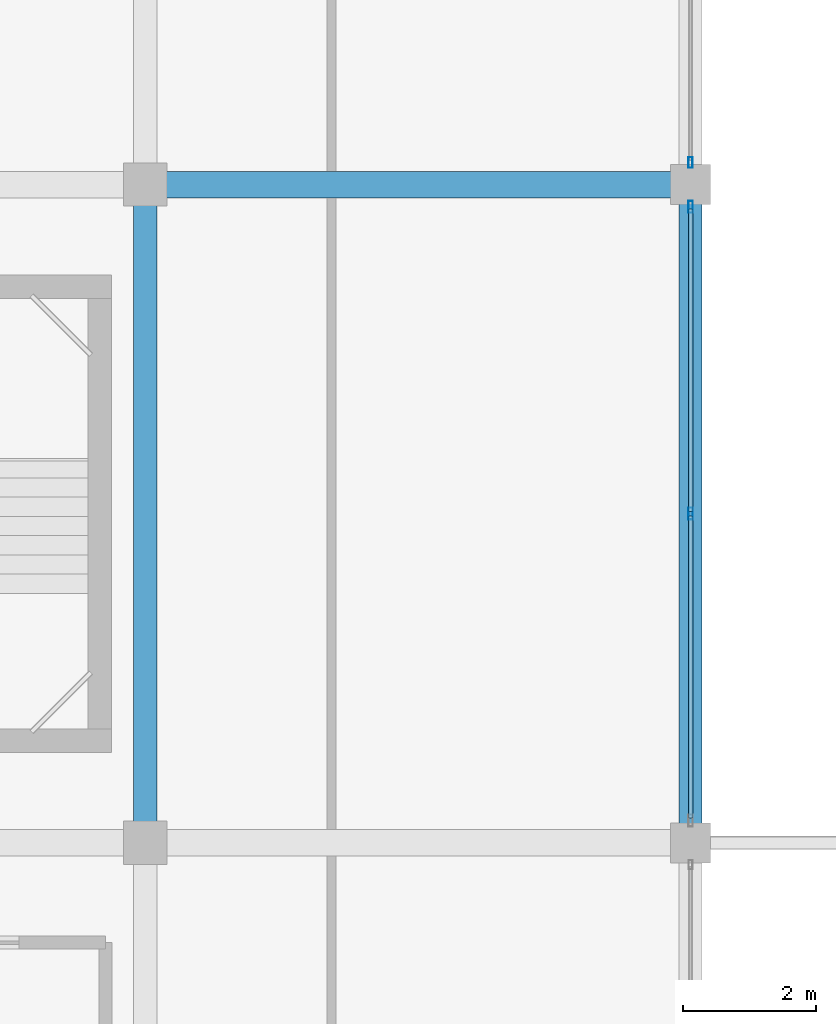
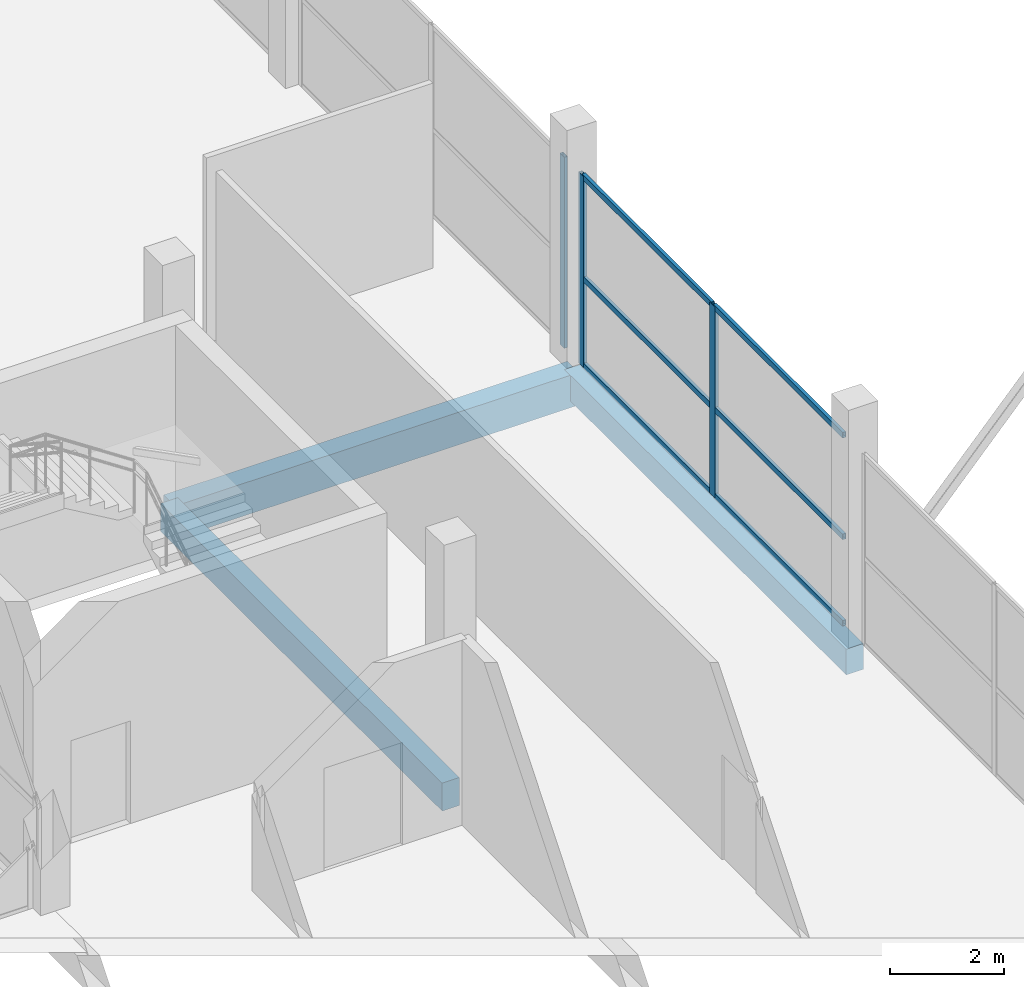
# One storey, part 29 of 58: 9 members, 3 beams, 2 elements without a shape of their own.
"""IFC4 building model written with IfcOpenShell, lengths in metres."""

from ifc_helpers import new_model, si_unit, direction, frame, origin, origin_2d, place, context, subcontext, project, spatial, rectangle, hollow_rectangle, extrude, material, layer, layer_set, material_profile, profile_set, type_object, element, aggregate, save


model = new_model("IFC4")

# Units and contexts
model_context = context("Model", 3, precision=1e-05, world=origin(), true_north=direction((0.0, 1.0)))
body_context = subcontext(model_context, "Body", "Model", "MODEL_VIEW")
ifc_project = project(units=[si_unit("LENGTHUNIT", "METRE"), si_unit("AREAUNIT", "SQUARE_METRE"), si_unit("VOLUMEUNIT", "CUBIC_METRE"), si_unit("PLANEANGLEUNIT", "RADIAN"), si_unit("MASSUNIT", "GRAM", prefix="KILO")], contexts=[model_context])

# Site, building, storey
site_placement = place(None, origin())
site = spatial("IfcSite", under=ifc_project, at=site_placement, CompositionType="ELEMENT")
building_placement = place(site_placement, origin())
building = spatial("IfcBuilding", under=site, at=building_placement, Name="Sillaruma Civic Art Gallery", CompositionType="ELEMENT")
storey_placement = place(building_placement, frame((0.0, 0.0, 52.02001953125)))
storey = spatial("IfcBuildingStorey", under=building, at=storey_placement, Name="L10", CompositionType="ELEMENT", Elevation=52.02001953125)

# Beams
ifc_material_1 = material(Name="Concrete H35 (35 MPa)", Category="concrete")
ifc_material_profile_1 = material_profile(ifc_material_1, rectangle(XDim=0.35009765625, YDim=0.60009765625, at=origin_2d()), Name="RCB350x600")
ifc_profile_set_1 = profile_set([ifc_material_profile_1], Name="Concrete H35 (35 MPa)")
beam_type_1 = type_object("IfcBeamType", Name="BM-BEAM-RCB350x600", PredefinedType="BEAM", material=ifc_profile_set_1)
beam_1_placement = place(storey_placement, frame((106.199951171875, 49.5, -0.550048828125), z_axis=(0.0, 1.0, 0.0), x_axis=(-1.0, 0.0, 0.0)))
element("IfcBeam", 1, at=beam_1_placement, inside=storey, type_object=beam_type_1, Name="Beam BM-06 (L09:M:6-7)", PredefinedType="BEAM", context=body_context, shape_type="SweptSolid", body=[
    extrude(rectangle(XDim=0.35009765625, YDim=0.60009765625, at=origin_2d()), origin(), (0.0, 0.0, 1.0), 9.89990234375),
])
ifc_material_profile_2 = material_profile(ifc_material_1, rectangle(XDim=0.39990234375, YDim=0.699951171875, at=origin_2d()), Name="RCB400x700")
ifc_profile_set_2 = profile_set([ifc_material_profile_2], Name="Concrete H35 (35 MPa)")
beam_type_2 = type_object("IfcBeamType", Name="BM-BEAM-RCB400x700", PredefinedType="BEAM", material=ifc_profile_set_2)
beam_2_placement = place(storey_placement, frame((106.199951171875, 59.39990234375, -0.60009765625), z_axis=(1.0, 0.0, 0.0), x_axis=(0.0, 1.0, 0.0)))
element("IfcBeam", 2, at=beam_2_placement, inside=storey, type_object=beam_type_2, Name="Beam BM-04 (L09:7:M-N)", PredefinedType="BEAM", context=body_context, shape_type="SweptSolid", body=[
    extrude(rectangle(XDim=0.39990234375, YDim=0.699951171875, at=origin_2d()), origin(), (0.0, 0.0, 1.0), 8.199951171875),
])
ifc_material_profile_3 = material_profile(ifc_material_1, rectangle(XDim=0.35009765625, YDim=0.550048828125, at=origin_2d()), Name="RCB350x550")
ifc_profile_set_3 = profile_set([ifc_material_profile_3], Name="Concrete H35 (35 MPa)")
beam_type_3 = type_object("IfcBeamType", Name="BM-SPANDREL-RCB350x550", PredefinedType="SPANDREL", material=ifc_profile_set_3)
beam_3_placement = place(storey_placement, frame((114.39990234375, 49.5, -0.52490234375), z_axis=(0.0, 1.0, 0.0), x_axis=(-1.0, 0.0, 0.0)))
element("IfcBeam", 3, at=beam_3_placement, inside=storey, type_object=beam_type_3, Name="Beam BS-04 (L09:N:6-7)", PredefinedType="SPANDREL", context=body_context, shape_type="SweptSolid", body=[
    extrude(rectangle(XDim=0.35009765625, YDim=0.550048828125, at=origin_2d()), origin(), (0.0, 0.0, 1.0), 9.89990234375),
])

# Curtain wall, member
ifc_material_2 = material(Name="Thermally Broken Extruded Aluminium 6063-T6", Category="aluminium")
ifc_layer_1 = layer(ifc_material_2, 0.159912109375, Name="Thermally Broken Extruded Aluminium 6063-T6")
ifc_layer_set_1 = layer_set([ifc_layer_1], Name="Thermally Broken Extruded Aluminium 6063-T6")
curtain_wall_type_1 = type_object("IfcCurtainWallType", Name="CW-UNI-81", PredefinedType="NOTDEFINED", material=ifc_layer_set_1)
curtain_wall_1_placement = place(storey_placement, origin())
curtain_wall_1 = element("IfcCurtainWall", 4, at=curtain_wall_1_placement, inside=storey, type_object=curtain_wall_type_1, Name="Unitised Curtain Wall CW-81 (CW-L10-EBE-5)", PredefinedType="NOTDEFINED")
ifc_material_profile_4 = material_profile(ifc_material_2, hollow_rectangle(XDim=0.06494140625, YDim=0.159912109375, WallThickness=0.00390625, at=origin_2d()), Name="CWM65x160")
ifc_profile_set_4 = profile_set([ifc_material_profile_4], Name="Thermally Broken Extruded Aluminium 6063-T6")
member_type_1 = type_object("IfcMemberType", Name="MEM-MUL-CWM65x160", PredefinedType="MULLION", material=ifc_profile_set_4)
member_1_placement = place(storey_placement, frame((114.39990234375, 59.732421875, 0.0), z_axis=(0.0, 0.0, 1.0), x_axis=(-1.0, 0.0, 0.0)))
member_1 = element("IfcMember", 5, at=member_1_placement, type_object=member_type_1, Name="CW-81 mullion 1", PredefinedType="MULLION", context=body_context, shape_type="SweptSolid", body=[
    extrude(hollow_rectangle(XDim=0.06494140625, YDim=0.159912109375, WallThickness=0.00390625, at=origin_2d()), origin(), (0.0, 0.0, 1.0), 4.10009765625),
])
aggregate(curtain_wall_1, [member_1])

# Curtain wall, members
ifc_layer_2 = layer(ifc_material_2, 0.179931640625, Name="Thermally Broken Extruded Aluminium 6063-T6")
ifc_layer_set_2 = layer_set([ifc_layer_2], Name="Thermally Broken Extruded Aluminium 6063-T6")
curtain_wall_type_2 = type_object("IfcCurtainWallType", Name="CW-UNI-79", PredefinedType="NOTDEFINED", material=ifc_layer_set_2)
curtain_wall_2_placement = place(storey_placement, origin())
curtain_wall_2 = element("IfcCurtainWall", 6, at=curtain_wall_2_placement, inside=storey, type_object=curtain_wall_type_2, Name="Unitised Curtain Wall CW-79 (CW-L10-EBE-4)", PredefinedType="NOTDEFINED")
ifc_material_profile_5 = material_profile(ifc_material_2, hollow_rectangle(XDim=0.070068359375, YDim=0.179931640625, WallThickness=0.00390625, at=origin_2d()), Name="CWM70x180")
ifc_profile_set_5 = profile_set([ifc_material_profile_5], Name="Thermally Broken Extruded Aluminium 6063-T6")
member_type_2 = type_object("IfcMemberType", Name="MEM-MUL-CWM70x180", PredefinedType="MULLION", material=ifc_profile_set_5)
member_2_placement = place(storey_placement, frame((114.39990234375, 54.449951171875, 0.0), z_axis=(0.0, 0.0, 1.0), x_axis=(-1.0, 0.0, 0.0)))
member_2 = element("IfcMember", 7, at=member_2_placement, type_object=member_type_2, Name="CW-79 mullion 2", PredefinedType="MULLION", context=body_context, shape_type="SweptSolid", body=[
    extrude(hollow_rectangle(XDim=0.070068359375, YDim=0.179931640625, WallThickness=0.00390625, at=origin_2d()), origin(), (0.0, 0.0, 1.0), 4.10009765625),
])
member_3_placement = place(storey_placement, frame((114.39990234375, 59.06494140625, 0.0), z_axis=(0.0, 0.0, 1.0), x_axis=(-1.0, 0.0, 0.0)))
member_3 = element("IfcMember", 8, at=member_3_placement, type_object=member_type_2, Name="CW-79 mullion 3", PredefinedType="MULLION", context=body_context, shape_type="SweptSolid", body=[
    extrude(hollow_rectangle(XDim=0.070068359375, YDim=0.179931640625, WallThickness=0.00390625, at=origin_2d()), origin(), (0.0, 0.0, 1.0), 4.10009765625),
])
ifc_material_profile_6 = material_profile(ifc_material_2, hollow_rectangle(XDim=0.06494140625, YDim=0.1201171875, WallThickness=0.00341796875, at=origin_2d()), Name="CWT65x120")
ifc_profile_set_6 = profile_set([ifc_material_profile_6], Name="Thermally Broken Extruded Aluminium 6063-T6")
member_type_3 = type_object("IfcMemberType", Name="MEM-TRN-CWT65x120", PredefinedType="USERDEFINED", material=ifc_profile_set_6)
member_4_placement = place(storey_placement, frame((114.39990234375, 49.8701171875, 0.032470703125), z_axis=(0.0, 1.0, 0.0), x_axis=(-1.0, 0.0, 0.0)))
member_4 = element("IfcMember", 9, at=member_4_placement, type_object=member_type_3, Name="CW-79 transom 1.1", ObjectType="TRANSOM", PredefinedType="USERDEFINED", context=body_context, shape_type="SweptSolid", body=[
    extrude(hollow_rectangle(XDim=0.06494140625, YDim=0.1201171875, WallThickness=0.00341796875, at=origin_2d()), origin(), (0.0, 0.0, 1.0), 4.544921875),
])
member_5_placement = place(storey_placement, frame((114.39990234375, 49.8701171875, 1.885986328125), z_axis=(0.0, 1.0, 0.0), x_axis=(-1.0, 0.0, 0.0)))
member_5 = element("IfcMember", 10, at=member_5_placement, type_object=member_type_3, Name="CW-79 transom 1.2", ObjectType="TRANSOM", PredefinedType="USERDEFINED", context=body_context, shape_type="SweptSolid", body=[
    extrude(hollow_rectangle(XDim=0.06494140625, YDim=0.1201171875, WallThickness=0.00341796875, at=origin_2d()), origin(), (0.0, 0.0, 1.0), 4.544921875),
])
member_6_placement = place(storey_placement, frame((114.39990234375, 49.8701171875, 4.0673828125), z_axis=(0.0, 1.0, 0.0), x_axis=(-1.0, 0.0, 0.0)))
member_6 = element("IfcMember", 11, at=member_6_placement, type_object=member_type_3, Name="CW-79 transom 1.3", ObjectType="TRANSOM", PredefinedType="USERDEFINED", context=body_context, shape_type="SweptSolid", body=[
    extrude(hollow_rectangle(XDim=0.06494140625, YDim=0.1201171875, WallThickness=0.00341796875, at=origin_2d()), origin(), (0.0, 0.0, 1.0), 4.544921875),
])
member_7_placement = place(storey_placement, frame((114.39990234375, 54.485107421875, 0.032470703125), z_axis=(0.0, 1.0, 0.0), x_axis=(-1.0, 0.0, 0.0)))
member_7 = element("IfcMember", 12, at=member_7_placement, type_object=member_type_3, Name="CW-79 transom 2.1", ObjectType="TRANSOM", PredefinedType="USERDEFINED", context=body_context, shape_type="SweptSolid", body=[
    extrude(hollow_rectangle(XDim=0.06494140625, YDim=0.1201171875, WallThickness=0.00341796875, at=origin_2d()), origin(), (0.0, 0.0, 1.0), 4.544921875),
])
member_8_placement = place(storey_placement, frame((114.39990234375, 54.485107421875, 1.885986328125), z_axis=(0.0, 1.0, 0.0), x_axis=(-1.0, 0.0, 0.0)))
member_8 = element("IfcMember", 13, at=member_8_placement, type_object=member_type_3, Name="CW-79 transom 2.2", ObjectType="TRANSOM", PredefinedType="USERDEFINED", context=body_context, shape_type="SweptSolid", body=[
    extrude(hollow_rectangle(XDim=0.06494140625, YDim=0.1201171875, WallThickness=0.00341796875, at=origin_2d()), origin(), (0.0, 0.0, 1.0), 4.544921875),
])
member_9_placement = place(storey_placement, frame((114.39990234375, 54.485107421875, 4.0673828125), z_axis=(0.0, 1.0, 0.0), x_axis=(-1.0, 0.0, 0.0)))
member_9 = element("IfcMember", 14, at=member_9_placement, type_object=member_type_3, Name="CW-79 transom 2.3", ObjectType="TRANSOM", PredefinedType="USERDEFINED", context=body_context, shape_type="SweptSolid", body=[
    extrude(hollow_rectangle(XDim=0.06494140625, YDim=0.1201171875, WallThickness=0.00341796875, at=origin_2d()), origin(), (0.0, 0.0, 1.0), 4.544921875),
])
aggregate(curtain_wall_2, [member_2, member_3, member_4, member_5, member_6, member_7, member_8, member_9])

save(model, "model.ifc")
